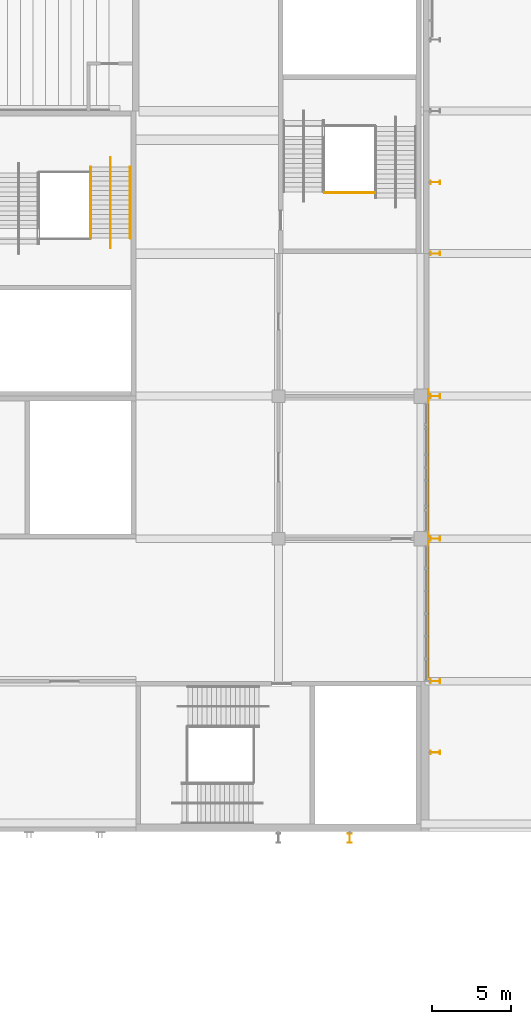
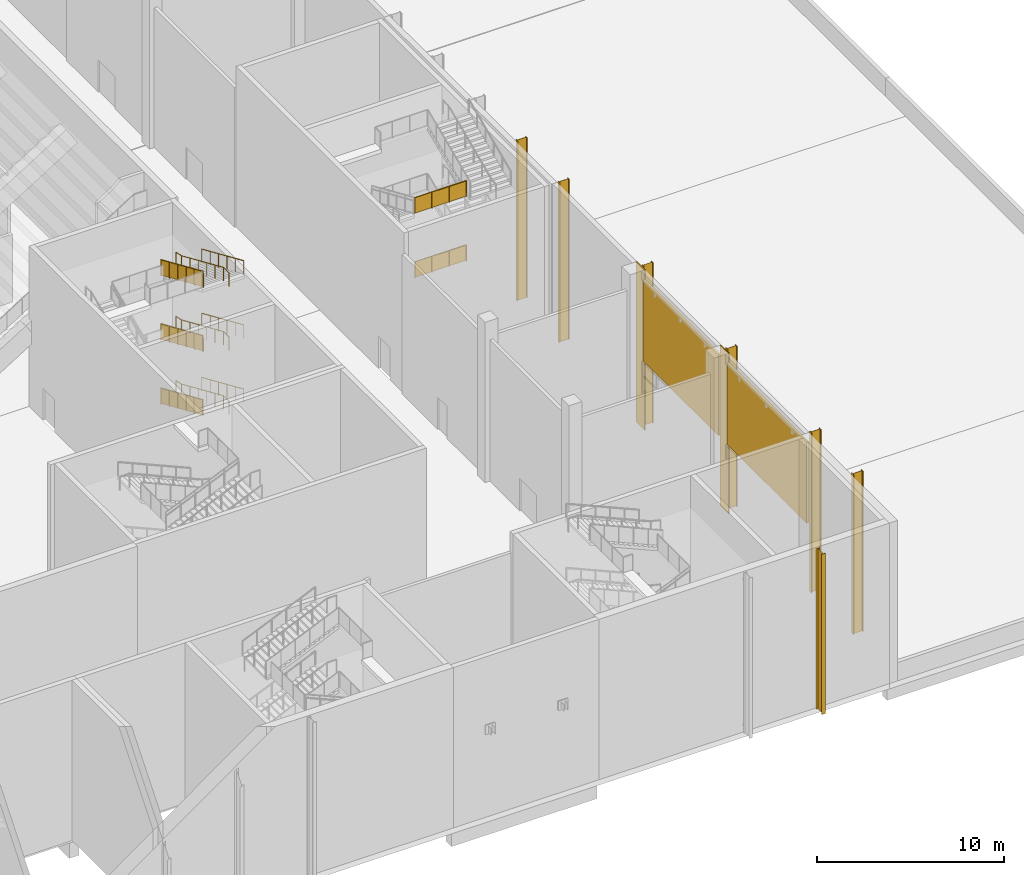
# One storey, part 161 of 182: 13 railings, 7 shading devices, 4 coverings.
"""IFC4 building model written with IfcOpenShell, lengths in metres."""

from ifc_helpers import new_model, si_unit, direction, frame, origin, origin_2d, place, context, subcontext, project, spatial, polyline, circle, i_section, outline, extrude, material, layer, layer_set, material_profile, profile_set, type_object, element, save


model = new_model("IFC4")

# Units and contexts
model_context = context("Model", 3, precision=1e-05, world=origin(), true_north=direction((0.0, 1.0)))
body_context = subcontext(model_context, "Body", "Model", "MODEL_VIEW")
ifc_project = project(units=[si_unit("LENGTHUNIT", "METRE"), si_unit("AREAUNIT", "SQUARE_METRE"), si_unit("VOLUMEUNIT", "CUBIC_METRE"), si_unit("PLANEANGLEUNIT", "RADIAN"), si_unit("MASSUNIT", "GRAM", prefix="KILO")], contexts=[model_context])

# Site, building, storey
site_placement = place(None, origin())
site = spatial("IfcSite", under=ifc_project, at=site_placement, CompositionType="ELEMENT")
building_placement = place(site_placement, origin())
building = spatial("IfcBuilding", under=site, at=building_placement, Name="Silverbay Arena", CompositionType="ELEMENT")
storey_placement = place(building_placement, frame((0.0, 0.0, 11.5)))
storey = spatial("IfcBuildingStorey", under=building, at=storey_placement, Name="L02", CompositionType="ELEMENT", Elevation=11.5)

# Coverings
ifc_material_1 = material(Name="Aluminium composite cladding", Category="aluminium")
ifc_layer_1 = layer(ifc_material_1, 0.050048828125)
ifc_layer_set_1 = layer_set([ifc_layer_1], Name="Aluminium composite cladding")
covering_type_1 = type_object("IfcCoveringType", Name="Column cladding 50", PredefinedType="CLADDING", material=ifc_layer_set_1)
covering_1_placement = place(storey_placement, origin())
element("IfcCovering", 1, at=covering_1_placement, inside=storey, type_object=covering_type_1, Name="East column cladding L02 6", PredefinedType="CLADDING", context=body_context, shape_type="SweptSolid", body=[
    extrude(outline(polyline([(207.449951171875, 35.550048828125), (207.5, 35.550048828125), (207.5, 36.449951171875), (207.449951171875, 36.449951171875), (207.449951171875, 35.550048828125)])), origin(), (0.0, 0.0, 1.0), 10.5),
])
covering_2_placement = place(storey_placement, origin())
element("IfcCovering", 2, at=covering_2_placement, inside=storey, type_object=covering_type_1, Name="East column cladding L02 8", PredefinedType="CLADDING", context=body_context, shape_type="SweptSolid", body=[
    extrude(outline(polyline([(207.449951171875, 44.550048828125), (207.5, 44.550048828125), (207.5, 45.449951171875), (207.449951171875, 45.449951171875), (207.449951171875, 44.550048828125)])), origin(), (0.0, 0.0, 1.0), 10.5),
])
ifc_material_2 = material(Name="Aluminium composite cladding", Category="aluminium")
ifc_layer_2 = layer(ifc_material_2, 0.14990234375)
ifc_layer_set_2 = layer_set([ifc_layer_2], Name="Aluminium composite cladding")
covering_type_2 = type_object("IfcCoveringType", Name="Facade cladding panel 150", PredefinedType="CLADDING", material=ifc_layer_set_2)
covering_3_placement = place(storey_placement, frame((0.0, 0.0, 4.60009765625)))
element("IfcCovering", 3, at=covering_3_placement, inside=storey, type_object=covering_type_2, Name="East facade cladding L02 bay 2", PredefinedType="CLADDING", context=body_context, shape_type="SweptSolid", body=[
    extrude(outline(polyline([(207.35009765625, 27.0), (207.5, 27.0), (207.5, 35.550048828125), (207.35009765625, 35.550048828125), (207.35009765625, 27.0)])), origin(), (0.0, 0.0, 1.0), 5.2998046875),
])
covering_4_placement = place(storey_placement, frame((0.0, 0.0, 4.60009765625)))
element("IfcCovering", 4, at=covering_4_placement, inside=storey, type_object=covering_type_2, Name="East facade cladding L02 bay 3", PredefinedType="CLADDING", context=body_context, shape_type="SweptSolid", body=[
    extrude(outline(polyline([(207.35009765625, 36.449951171875), (207.5, 36.449951171875), (207.5, 44.550048828125), (207.35009765625, 44.550048828125), (207.35009765625, 36.449951171875)])), origin(), (0.0, 0.0, 1.0), 5.2998046875),
])

# Railings
ifc_material_3 = material(Name="Stainless steel", Category="steel")
railing_type_1 = type_object("IfcRailingType", Name="Stair guard 1100", PredefinedType="GUARDRAIL", material=ifc_material_3)
for number, where, name in (
    (5, (200.89990234375, 57.85009765625, 4.199951171875), "Stair ST-E1 L02 to L03 landing 2 guard"),
    (6, (200.89990234375, 57.85009765625, 8.39990234375), "Stair ST-E1 L02 to L03 landing 4 guard"),
):
    element("IfcRailing", number, at=place(storey_placement, frame(where)), inside=storey, type_object=railing_type_1, Name=name, PredefinedType="GUARDRAIL", context=body_context, shape_type="SweptSolid", body=[
        extrude(circle(Radius=0.02392578125, at=origin_2d()), frame((0.0, 0.0, 1.076171875), z_axis=(1.0, 0.0, 0.0), x_axis=(0.0, 1.0, 0.0)), (0.0, 0.0, 1.0), 3.2001953125),
        extrude(outline(polyline([(-0.008056640625, 0.050048828125), (1.07470703125, 0.050048828125), (1.07470703125, 1.052978515625), (-0.008056640625, 1.052978515625), (-0.008056640625, 0.050048828125)])), frame((0.0, 0.0029296875, 0.0), z_axis=(0.0, -1.0, 0.0), x_axis=(1.0, 0.0, 0.0)), (0.0, 0.0, 1.0), 0.006103515625),
        extrude(outline(polyline([(-0.008056640625, 0.050048828125), (1.07470703125, 0.050048828125), (1.07470703125, 1.052978515625), (-0.008056640625, 1.052978515625), (-0.008056640625, 0.050048828125)])), frame((1.066650390625, 0.0029296875, 0.0), z_axis=(0.0, -1.0, 0.0), x_axis=(1.0, 0.0, 0.0)), (0.0, 0.0, 1.0), 0.006103515625),
        extrude(outline(polyline([(-0.008056640625, 0.050048828125), (1.07470703125, 0.050048828125), (1.07470703125, 1.052978515625), (-0.008056640625, 1.052978515625), (-0.008056640625, 0.050048828125)])), frame((2.133544921875, 0.0029296875, 0.0), z_axis=(0.0, -1.0, 0.0), x_axis=(1.0, 0.0, 0.0)), (0.0, 0.0, 1.0), 0.006103515625),
        extrude(circle(Radius=0.02099609375, at=origin_2d()), origin(), (0.0, 0.0, 1.0), 1.052001953125),
        extrude(circle(Radius=0.02099609375, at=origin_2d()), frame((1.066650390625, 0.0, 0.0)), (0.0, 0.0, 1.0), 1.052001953125),
        extrude(circle(Radius=0.02099609375, at=origin_2d()), frame((2.133544921875, 0.0, 0.0)), (0.0, 0.0, 1.0), 1.052001953125),
        extrude(circle(Radius=0.02099609375, at=origin_2d()), frame((3.2001953125, 0.0, 0.0)), (0.0, 0.0, 1.0), 1.052001953125),
    ])
railing_1_placement = place(storey_placement, frame((186.125, 59.47412109375, 0.13134765625)))
element("IfcRailing", 7, at=railing_1_placement, inside=storey, type_object=railing_type_1, Name="Stair ST-SE2 L02 to L03 flight 1 guard left", PredefinedType="GUARDRAIL", context=body_context, shape_type="SweptSolid", body=[
    extrude(circle(Radius=0.02392578125, at=origin_2d()), frame((0.0, 0.0, 1.076171875), z_axis=(0.0, -0.916157334902, 0.40081883402), x_axis=(1.0, 0.0, 0.0)), (0.0, 0.0, 1.0), 4.911865234375),
    extrude(outline(polyline([(-0.008056640625, 0.04638671875), (0.907958984375, 0.447265625), (0.907958984375, 1.4501953125), (-0.008056640625, 1.049560546875), (-0.008056640625, 0.04638671875)])), frame((0.0029296875, 0.0, 0.0), z_axis=(-1.0, 0.0, 0.0), x_axis=(0.0, -1.0, 0.0)), (0.0, 0.0, 1.0), 0.006103515625),
    extrude(outline(polyline([(-0.008056640625, 0.440185546875), (0.907958984375, 0.841064453125), (0.907958984375, 1.843994140625), (-0.008056640625, 1.443359375), (-0.008056640625, 0.440185546875)])), frame((0.0029296875, -0.89990234375, 0.0), z_axis=(-1.0, 0.0, 0.0), x_axis=(0.0, -1.0, 0.0)), (0.0, 0.0, 1.0), 0.006103515625),
    extrude(outline(polyline([(-0.008056640625, 0.833984375), (0.907958984375, 1.23486328125), (0.907958984375, 2.23779296875), (-0.008056640625, 1.8369140625), (-0.008056640625, 0.833984375)])), frame((0.0029296875, -1.800048828125, 0.0), z_axis=(-1.0, 0.0, 0.0), x_axis=(0.0, -1.0, 0.0)), (0.0, 0.0, 1.0), 0.006103515625),
    extrude(outline(polyline([(-0.008056640625, 1.227783203125), (0.907958984375, 1.62841796875), (0.907958984375, 2.631591796875), (-0.008056640625, 2.230712890625), (-0.008056640625, 1.227783203125)])), frame((0.0029296875, -2.699951171875, 0.0), z_axis=(-1.0, 0.0, 0.0), x_axis=(0.0, -1.0, 0.0)), (0.0, 0.0, 1.0), 0.006103515625),
    extrude(outline(polyline([(-0.008056640625, 1.62158203125), (0.907958984375, 2.022216796875), (0.907958984375, 3.025146484375), (-0.008056640625, 2.62451171875), (-0.008056640625, 1.62158203125)])), frame((0.0029296875, -3.60009765625, 0.0), z_axis=(-1.0, 0.0, 0.0), x_axis=(0.0, -1.0, 0.0)), (0.0, 0.0, 1.0), 0.006103515625),
    extrude(circle(Radius=0.02099609375, at=origin_2d()), origin(), (0.0, 0.0, 1.0), 1.052001953125),
    extrude(circle(Radius=0.02099609375, at=origin_2d()), frame((0.0, -0.89990234375, 0.393798828125)), (0.0, 0.0, 1.0), 1.052001953125),
    extrude(circle(Radius=0.02099609375, at=origin_2d()), frame((0.0, -1.800048828125, 0.78759765625)), (0.0, 0.0, 1.0), 1.052001953125),
    extrude(circle(Radius=0.02099609375, at=origin_2d()), frame((0.0, -2.699951171875, 1.18115234375)), (0.0, 0.0, 1.0), 1.052001953125),
    extrude(circle(Radius=0.02099609375, at=origin_2d()), frame((0.0, -3.60009765625, 1.574951171875)), (0.0, 0.0, 1.0), 1.052001953125),
    extrude(circle(Radius=0.02099609375, at=origin_2d()), frame((0.0, -4.5, 1.96875)), (0.0, 0.0, 1.0), 1.052001953125),
])
railing_2_placement = place(storey_placement, frame((186.125, 59.47412109375, 4.331298828125)))
element("IfcRailing", 8, at=railing_2_placement, inside=storey, type_object=railing_type_1, Name="Stair ST-SE2 L02 to L03 flight 3 guard left", PredefinedType="GUARDRAIL", context=body_context, shape_type="SweptSolid", body=[
    extrude(circle(Radius=0.02392578125, at=origin_2d()), frame((0.0, 0.0, 1.076171875), z_axis=(0.0, -0.916157334902, 0.40081883402), x_axis=(1.0, 0.0, 0.0)), (0.0, 0.0, 1.0), 4.911865234375),
    extrude(outline(polyline([(-0.008056640625, 0.04638671875), (0.907958984375, 0.447265625), (0.907958984375, 1.4501953125), (-0.008056640625, 1.049560546875), (-0.008056640625, 0.04638671875)])), frame((0.0029296875, 0.0, 0.0), z_axis=(-1.0, 0.0, 0.0), x_axis=(0.0, -1.0, 0.0)), (0.0, 0.0, 1.0), 0.006103515625),
    extrude(outline(polyline([(-0.008056640625, 0.440185546875), (0.907958984375, 0.841064453125), (0.907958984375, 1.843994140625), (-0.008056640625, 1.443359375), (-0.008056640625, 0.440185546875)])), frame((0.0029296875, -0.89990234375, 0.0), z_axis=(-1.0, 0.0, 0.0), x_axis=(0.0, -1.0, 0.0)), (0.0, 0.0, 1.0), 0.006103515625),
    extrude(outline(polyline([(-0.008056640625, 0.833984375), (0.907958984375, 1.23486328125), (0.907958984375, 2.23779296875), (-0.008056640625, 1.8369140625), (-0.008056640625, 0.833984375)])), frame((0.0029296875, -1.800048828125, 0.0), z_axis=(-1.0, 0.0, 0.0), x_axis=(0.0, -1.0, 0.0)), (0.0, 0.0, 1.0), 0.006103515625),
    extrude(outline(polyline([(-0.008056640625, 1.227783203125), (0.907958984375, 1.62841796875), (0.907958984375, 2.631591796875), (-0.008056640625, 2.230712890625), (-0.008056640625, 1.227783203125)])), frame((0.0029296875, -2.699951171875, 0.0), z_axis=(-1.0, 0.0, 0.0), x_axis=(0.0, -1.0, 0.0)), (0.0, 0.0, 1.0), 0.006103515625),
    extrude(outline(polyline([(-0.008056640625, 1.62158203125), (0.907958984375, 2.022216796875), (0.907958984375, 3.025146484375), (-0.008056640625, 2.62451171875), (-0.008056640625, 1.62158203125)])), frame((0.0029296875, -3.60009765625, 0.0), z_axis=(-1.0, 0.0, 0.0), x_axis=(0.0, -1.0, 0.0)), (0.0, 0.0, 1.0), 0.006103515625),
    extrude(circle(Radius=0.02099609375, at=origin_2d()), origin(), (0.0, 0.0, 1.0), 1.052001953125),
    extrude(circle(Radius=0.02099609375, at=origin_2d()), frame((0.0, -0.89990234375, 0.393798828125)), (0.0, 0.0, 1.0), 1.052001953125),
    extrude(circle(Radius=0.02099609375, at=origin_2d()), frame((0.0, -1.800048828125, 0.78759765625)), (0.0, 0.0, 1.0), 1.052001953125),
    extrude(circle(Radius=0.02099609375, at=origin_2d()), frame((0.0, -2.699951171875, 1.18115234375)), (0.0, 0.0, 1.0), 1.052001953125),
    extrude(circle(Radius=0.02099609375, at=origin_2d()), frame((0.0, -3.60009765625, 1.574951171875)), (0.0, 0.0, 1.0), 1.052001953125),
    extrude(circle(Radius=0.02099609375, at=origin_2d()), frame((0.0, -4.5, 1.96875)), (0.0, 0.0, 1.0), 1.052001953125),
])
railing_3_placement = place(storey_placement, frame((186.125, 59.47412109375, 8.53125)))
element("IfcRailing", 9, at=railing_3_placement, inside=storey, type_object=railing_type_1, Name="Stair ST-SE2 L02 to L03 flight 5 guard left", PredefinedType="GUARDRAIL", context=body_context, shape_type="SweptSolid", body=[
    extrude(circle(Radius=0.02392578125, at=origin_2d()), frame((0.0, 0.0, 1.076171875), z_axis=(0.0, -0.916157334902, 0.40081883402), x_axis=(1.0, 0.0, 0.0)), (0.0, 0.0, 1.0), 4.911865234375),
    extrude(outline(polyline([(-0.008056640625, 0.04638671875), (0.907958984375, 0.447265625), (0.907958984375, 1.4501953125), (-0.008056640625, 1.049560546875), (-0.008056640625, 0.04638671875)])), frame((0.0029296875, 0.0, 0.0), z_axis=(-1.0, 0.0, 0.0), x_axis=(0.0, -1.0, 0.0)), (0.0, 0.0, 1.0), 0.006103515625),
    extrude(outline(polyline([(-0.008056640625, 0.440185546875), (0.907958984375, 0.841064453125), (0.907958984375, 1.843994140625), (-0.008056640625, 1.443359375), (-0.008056640625, 0.440185546875)])), frame((0.0029296875, -0.89990234375, 0.0), z_axis=(-1.0, 0.0, 0.0), x_axis=(0.0, -1.0, 0.0)), (0.0, 0.0, 1.0), 0.006103515625),
    extrude(outline(polyline([(-0.008056640625, 0.833984375), (0.907958984375, 1.23486328125), (0.907958984375, 2.23779296875), (-0.008056640625, 1.8369140625), (-0.008056640625, 0.833984375)])), frame((0.0029296875, -1.800048828125, 0.0), z_axis=(-1.0, 0.0, 0.0), x_axis=(0.0, -1.0, 0.0)), (0.0, 0.0, 1.0), 0.006103515625),
    extrude(outline(polyline([(-0.008056640625, 1.227783203125), (0.907958984375, 1.62841796875), (0.907958984375, 2.631591796875), (-0.008056640625, 2.230712890625), (-0.008056640625, 1.227783203125)])), frame((0.0029296875, -2.699951171875, 0.0), z_axis=(-1.0, 0.0, 0.0), x_axis=(0.0, -1.0, 0.0)), (0.0, 0.0, 1.0), 0.006103515625),
    extrude(outline(polyline([(-0.008056640625, 1.62158203125), (0.907958984375, 2.022216796875), (0.907958984375, 3.025146484375), (-0.008056640625, 2.62451171875), (-0.008056640625, 1.62158203125)])), frame((0.0029296875, -3.60009765625, 0.0), z_axis=(-1.0, 0.0, 0.0), x_axis=(0.0, -1.0, 0.0)), (0.0, 0.0, 1.0), 0.006103515625),
    extrude(circle(Radius=0.02099609375, at=origin_2d()), origin(), (0.0, 0.0, 1.0), 1.052001953125),
    extrude(circle(Radius=0.02099609375, at=origin_2d()), frame((0.0, -0.89990234375, 0.393798828125)), (0.0, 0.0, 1.0), 1.052001953125),
    extrude(circle(Radius=0.02099609375, at=origin_2d()), frame((0.0, -1.800048828125, 0.78759765625)), (0.0, 0.0, 1.0), 1.052001953125),
    extrude(circle(Radius=0.02099609375, at=origin_2d()), frame((0.0, -2.699951171875, 1.18115234375)), (0.0, 0.0, 1.0), 1.052001953125),
    extrude(circle(Radius=0.02099609375, at=origin_2d()), frame((0.0, -3.60009765625, 1.574951171875)), (0.0, 0.0, 1.0), 1.052001953125),
    extrude(circle(Radius=0.02099609375, at=origin_2d()), frame((0.0, -4.5, 1.96875)), (0.0, 0.0, 1.0), 1.052001953125),
])
ifc_material_4 = material(Name="Stainless steel", Category="steel")
railing_type_2 = type_object("IfcRailingType", Name="Stair handrail 900", PredefinedType="HANDRAIL", material=ifc_material_4)
railing_4_placement = place(storey_placement, frame((188.64990234375, 59.47412109375, 0.13134765625)))
element("IfcRailing", 10, at=railing_4_placement, inside=storey, type_object=railing_type_2, Name="Stair ST-SE2 L02 to L03 flight 1 handrail right", PredefinedType="HANDRAIL", context=body_context, shape_type="SweptSolid", body=[
    extrude(circle(Radius=0.02392578125, at=origin_2d()), frame((0.0, 0.0, 0.8759765625), z_axis=(0.0, -0.916157334902, 0.40081883402), x_axis=(1.0, 0.0, 0.0)), (0.0, 0.0, 1.0), 4.911865234375),
    extrude(circle(Radius=0.02099609375, at=origin_2d()), origin(), (0.0, 0.0, 1.0), 0.851806640625),
    extrude(circle(Radius=0.02099609375, at=origin_2d()), frame((0.0, -0.89990234375, 0.393798828125)), (0.0, 0.0, 1.0), 0.851806640625),
    extrude(circle(Radius=0.02099609375, at=origin_2d()), frame((0.0, -1.800048828125, 0.78759765625)), (0.0, 0.0, 1.0), 0.851806640625),
    extrude(circle(Radius=0.02099609375, at=origin_2d()), frame((0.0, -2.699951171875, 1.18115234375)), (0.0, 0.0, 1.0), 0.851806640625),
    extrude(circle(Radius=0.02099609375, at=origin_2d()), frame((0.0, -3.60009765625, 1.574951171875)), (0.0, 0.0, 1.0), 0.851806640625),
    extrude(circle(Radius=0.02099609375, at=origin_2d()), frame((0.0, -4.5, 1.96875)), (0.0, 0.0, 1.0), 0.851806640625),
])
railing_5_placement = place(storey_placement, frame((187.39990234375, 60.07421875, 0.0)))
element("IfcRailing", 11, at=railing_5_placement, inside=storey, type_object=railing_type_2, Name="Stair ST-SE2 L02 to L03 flight 1 central handrail", PredefinedType="HANDRAIL", context=body_context, shape_type="SweptSolid", body=[
    extrude(circle(Radius=0.02392578125, at=origin_2d()), frame((0.0, 0.0, 0.8759765625), z_axis=(0.0, -0.976874083041, 0.213815401414), x_axis=(1.0, 0.0, 0.0)), (0.0, 0.0, 1.0), 0.6142578125),
    extrude(circle(Radius=0.02392578125, at=origin_2d()), frame((0.0, -0.60009765625, 1.00732421875), z_axis=(0.0, -0.916157334902, 0.40081883402), x_axis=(1.0, 0.0, 0.0)), (0.0, 0.0, 1.0), 4.911865234375),
    extrude(circle(Radius=0.02392578125, at=origin_2d()), frame((0.0, -5.10009765625, 2.97607421875), z_axis=(0.0, -1.0, 0.0), x_axis=(1.0, 0.0, 0.0)), (0.0, 0.0, 1.0), 0.599853515625),
    extrude(circle(Radius=0.02099609375, at=origin_2d()), origin(), (0.0, 0.0, 1.0), 0.851806640625),
    extrude(circle(Radius=0.02099609375, at=origin_2d()), frame((0.0, -0.60009765625, 0.13134765625)), (0.0, 0.0, 1.0), 0.851806640625),
    extrude(circle(Radius=0.02099609375, at=origin_2d()), frame((0.0, -1.5, 0.525146484375)), (0.0, 0.0, 1.0), 0.851806640625),
    extrude(circle(Radius=0.02099609375, at=origin_2d()), frame((0.0, -2.400146484375, 0.9189453125)), (0.0, 0.0, 1.0), 0.851806640625),
    extrude(circle(Radius=0.02099609375, at=origin_2d()), frame((0.0, -3.300048828125, 1.3125)), (0.0, 0.0, 1.0), 0.851806640625),
    extrude(circle(Radius=0.02099609375, at=origin_2d()), frame((0.0, -4.2001953125, 1.706298828125)), (0.0, 0.0, 1.0), 0.851806640625),
    extrude(circle(Radius=0.02099609375, at=origin_2d()), frame((0.0, -5.10009765625, 2.10009765625)), (0.0, 0.0, 1.0), 0.851806640625),
    extrude(circle(Radius=0.02099609375, at=origin_2d()), frame((0.0, -5.699951171875, 2.10009765625)), (0.0, 0.0, 1.0), 0.851806640625),
])
for number, where, name in (
    (12, (186.1640625, 59.47412109375, 4.331298828125), "Stair ST-SE2 L02 to L03 flight 3 handrail left"),
    (13, (188.64990234375, 59.47412109375, 4.331298828125), "Stair ST-SE2 L02 to L03 flight 3 handrail right"),
):
    element("IfcRailing", number, at=place(storey_placement, frame(where)), inside=storey, type_object=railing_type_2, Name=name, PredefinedType="HANDRAIL", context=body_context, shape_type="SweptSolid", body=[
        extrude(circle(Radius=0.02392578125, at=origin_2d()), frame((0.0, 0.0, 0.8759765625), z_axis=(0.0, -0.916157334902, 0.40081883402), x_axis=(1.0, 0.0, 0.0)), (0.0, 0.0, 1.0), 4.911865234375),
        extrude(circle(Radius=0.02099609375, at=origin_2d()), origin(), (0.0, 0.0, 1.0), 0.851806640625),
        extrude(circle(Radius=0.02099609375, at=origin_2d()), frame((0.0, -0.89990234375, 0.393798828125)), (0.0, 0.0, 1.0), 0.851806640625),
        extrude(circle(Radius=0.02099609375, at=origin_2d()), frame((0.0, -1.800048828125, 0.78759765625)), (0.0, 0.0, 1.0), 0.851806640625),
        extrude(circle(Radius=0.02099609375, at=origin_2d()), frame((0.0, -2.699951171875, 1.18115234375)), (0.0, 0.0, 1.0), 0.851806640625),
        extrude(circle(Radius=0.02099609375, at=origin_2d()), frame((0.0, -3.60009765625, 1.574951171875)), (0.0, 0.0, 1.0), 0.851806640625),
        extrude(circle(Radius=0.02099609375, at=origin_2d()), frame((0.0, -4.5, 1.96875)), (0.0, 0.0, 1.0), 0.851806640625),
    ])
railing_6_placement = place(storey_placement, frame((187.39990234375, 60.07421875, 4.199951171875)))
element("IfcRailing", 14, at=railing_6_placement, inside=storey, type_object=railing_type_2, Name="Stair ST-SE2 L02 to L03 flight 3 central handrail", PredefinedType="HANDRAIL", context=body_context, shape_type="SweptSolid", body=[
    extrude(circle(Radius=0.02392578125, at=origin_2d()), frame((0.0, 0.0, 0.8759765625), z_axis=(0.0, -0.976874083041, 0.213815401414), x_axis=(1.0, 0.0, 0.0)), (0.0, 0.0, 1.0), 0.6142578125),
    extrude(circle(Radius=0.02392578125, at=origin_2d()), frame((0.0, -0.60009765625, 1.00732421875), z_axis=(0.0, -0.916157334902, 0.40081883402), x_axis=(1.0, 0.0, 0.0)), (0.0, 0.0, 1.0), 4.911865234375),
    extrude(circle(Radius=0.02392578125, at=origin_2d()), frame((0.0, -5.10009765625, 2.97607421875), z_axis=(0.0, -1.0, 0.0), x_axis=(1.0, 0.0, 0.0)), (0.0, 0.0, 1.0), 0.599853515625),
    extrude(circle(Radius=0.02099609375, at=origin_2d()), origin(), (0.0, 0.0, 1.0), 0.851806640625),
    extrude(circle(Radius=0.02099609375, at=origin_2d()), frame((0.0, -0.60009765625, 0.13134765625)), (0.0, 0.0, 1.0), 0.851806640625),
    extrude(circle(Radius=0.02099609375, at=origin_2d()), frame((0.0, -1.5, 0.525146484375)), (0.0, 0.0, 1.0), 0.851806640625),
    extrude(circle(Radius=0.02099609375, at=origin_2d()), frame((0.0, -2.400146484375, 0.9189453125)), (0.0, 0.0, 1.0), 0.851806640625),
    extrude(circle(Radius=0.02099609375, at=origin_2d()), frame((0.0, -3.300048828125, 1.3125)), (0.0, 0.0, 1.0), 0.851806640625),
    extrude(circle(Radius=0.02099609375, at=origin_2d()), frame((0.0, -4.2001953125, 1.706298828125)), (0.0, 0.0, 1.0), 0.851806640625),
    extrude(circle(Radius=0.02099609375, at=origin_2d()), frame((0.0, -5.10009765625, 2.10009765625)), (0.0, 0.0, 1.0), 0.851806640625),
    extrude(circle(Radius=0.02099609375, at=origin_2d()), frame((0.0, -5.699951171875, 2.10009765625)), (0.0, 0.0, 1.0), 0.851806640625),
])
for number, where, name in (
    (15, (186.1640625, 59.47412109375, 8.53125), "Stair ST-SE2 L02 to L03 flight 5 handrail left"),
    (16, (188.64990234375, 59.47412109375, 8.53125), "Stair ST-SE2 L02 to L03 flight 5 handrail right"),
):
    element("IfcRailing", number, at=place(storey_placement, frame(where)), inside=storey, type_object=railing_type_2, Name=name, PredefinedType="HANDRAIL", context=body_context, shape_type="SweptSolid", body=[
        extrude(circle(Radius=0.02392578125, at=origin_2d()), frame((0.0, 0.0, 0.8759765625), z_axis=(0.0, -0.916157334902, 0.40081883402), x_axis=(1.0, 0.0, 0.0)), (0.0, 0.0, 1.0), 4.911865234375),
        extrude(circle(Radius=0.02099609375, at=origin_2d()), origin(), (0.0, 0.0, 1.0), 0.851806640625),
        extrude(circle(Radius=0.02099609375, at=origin_2d()), frame((0.0, -0.89990234375, 0.393798828125)), (0.0, 0.0, 1.0), 0.851806640625),
        extrude(circle(Radius=0.02099609375, at=origin_2d()), frame((0.0, -1.800048828125, 0.78759765625)), (0.0, 0.0, 1.0), 0.851806640625),
        extrude(circle(Radius=0.02099609375, at=origin_2d()), frame((0.0, -2.699951171875, 1.18115234375)), (0.0, 0.0, 1.0), 0.851806640625),
        extrude(circle(Radius=0.02099609375, at=origin_2d()), frame((0.0, -3.60009765625, 1.574951171875)), (0.0, 0.0, 1.0), 0.851806640625),
        extrude(circle(Radius=0.02099609375, at=origin_2d()), frame((0.0, -4.5, 1.96875)), (0.0, 0.0, 1.0), 0.851806640625),
    ])
railing_7_placement = place(storey_placement, frame((187.39990234375, 60.07421875, 8.39990234375)))
element("IfcRailing", 17, at=railing_7_placement, inside=storey, type_object=railing_type_2, Name="Stair ST-SE2 L02 to L03 flight 5 central handrail", PredefinedType="HANDRAIL", context=body_context, shape_type="SweptSolid", body=[
    extrude(circle(Radius=0.02392578125, at=origin_2d()), frame((0.0, 0.0, 0.8759765625), z_axis=(0.0, -0.976874083041, 0.213815401414), x_axis=(1.0, 0.0, 0.0)), (0.0, 0.0, 1.0), 0.6142578125),
    extrude(circle(Radius=0.02392578125, at=origin_2d()), frame((0.0, -0.60009765625, 1.00732421875), z_axis=(0.0, -0.916157334902, 0.40081883402), x_axis=(1.0, 0.0, 0.0)), (0.0, 0.0, 1.0), 4.911865234375),
    extrude(circle(Radius=0.02392578125, at=origin_2d()), frame((0.0, -5.10009765625, 2.97607421875), z_axis=(0.0, -1.0, 0.0), x_axis=(1.0, 0.0, 0.0)), (0.0, 0.0, 1.0), 0.599853515625),
    extrude(circle(Radius=0.02099609375, at=origin_2d()), origin(), (0.0, 0.0, 1.0), 0.851806640625),
    extrude(circle(Radius=0.02099609375, at=origin_2d()), frame((0.0, -0.60009765625, 0.13134765625)), (0.0, 0.0, 1.0), 0.851806640625),
    extrude(circle(Radius=0.02099609375, at=origin_2d()), frame((0.0, -1.5, 0.525146484375)), (0.0, 0.0, 1.0), 0.851806640625),
    extrude(circle(Radius=0.02099609375, at=origin_2d()), frame((0.0, -2.400146484375, 0.9189453125)), (0.0, 0.0, 1.0), 0.851806640625),
    extrude(circle(Radius=0.02099609375, at=origin_2d()), frame((0.0, -3.300048828125, 1.3125)), (0.0, 0.0, 1.0), 0.851806640625),
    extrude(circle(Radius=0.02099609375, at=origin_2d()), frame((0.0, -4.2001953125, 1.706298828125)), (0.0, 0.0, 1.0), 0.851806640625),
    extrude(circle(Radius=0.02099609375, at=origin_2d()), frame((0.0, -5.10009765625, 2.10009765625)), (0.0, 0.0, 1.0), 0.851806640625),
    extrude(circle(Radius=0.02099609375, at=origin_2d()), frame((0.0, -5.699951171875, 2.10009765625)), (0.0, 0.0, 1.0), 0.851806640625),
])

# Shading devices
ifc_material_5 = material(Name="Steel S355", Category="steel")
ifc_material_profile = material_profile(ifc_material_5, i_section(OverallWidth=0.2275390625, OverallDepth=0.6025390625, WebThickness=0.010498046875, FlangeThickness=0.014892578125, at=origin_2d()), Name="UB 610x229x101")
ifc_profile_set = profile_set([ifc_material_profile], Name="Steel S355")
shading_device_type = type_object("IfcShadingDeviceType", Name="Steel fin UB 610x229x101", PredefinedType="USERDEFINED", material=ifc_profile_set)
for number, where, z_axis, x_axis, name in (
    (18, (202.5, 17.0986328125, 0.0), (0.0, 0.0, 1.0), (1.0, 0.0, 0.0), "Steel fin S L02 33"),
    (19, (207.9013671875, 22.5, 0.0), (0.0, 0.0, 1.0), (0.0, 1.0, 0.0), "Steel fin E L02 1"),
    (20, (207.9013671875, 27.0, 0.0), (0.0, 0.0, 1.0), (0.0, 1.0, 0.0), "Steel fin E L02 2"),
    (21, (207.9013671875, 36.0, 0.0), (0.0, 0.0, 1.0), (0.0, 1.0, 0.0), "Steel fin E L02 4"),
    (22, (207.9013671875, 45.0, 0.0), (0.0, 0.0, 1.0), (0.0, 1.0, 0.0), "Steel fin E L02 6"),
    (23, (207.9013671875, 54.0, 0.0), (0.0, 0.0, 1.0), (0.0, 1.0, 0.0), "Steel fin E L02 8"),
    (24, (207.9013671875, 58.5, 0.0), (0.0, 0.0, 1.0), (0.0, 1.0, 0.0), "Steel fin E L02 9"),
):
    element("IfcShadingDevice", number, at=place(storey_placement, frame(where, z_axis=z_axis, x_axis=x_axis)), inside=storey, type_object=shading_device_type, Name=name, ObjectType="FIN", PredefinedType="USERDEFINED", context=body_context, shape_type="SweptSolid", body=[
        extrude(i_section(OverallWidth=0.2275390625, OverallDepth=0.6025390625, WebThickness=0.010498046875, FlangeThickness=0.014892578125, at=origin_2d()), origin(), (0.0, 0.0, 1.0), 10.5),
    ])

save(model, "model.ifc")
